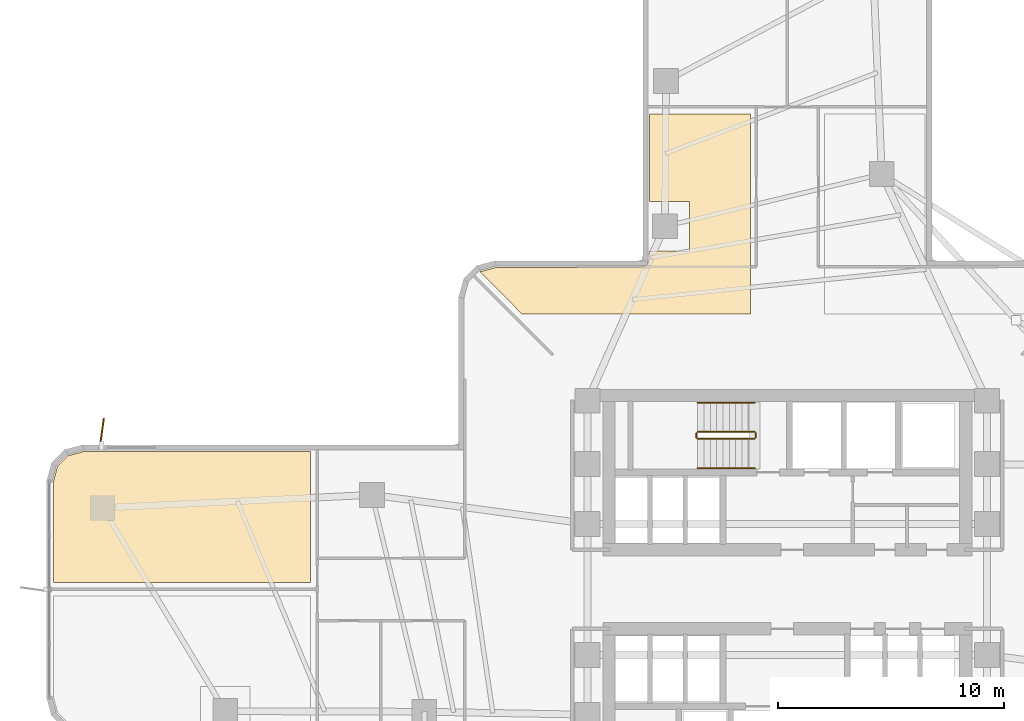
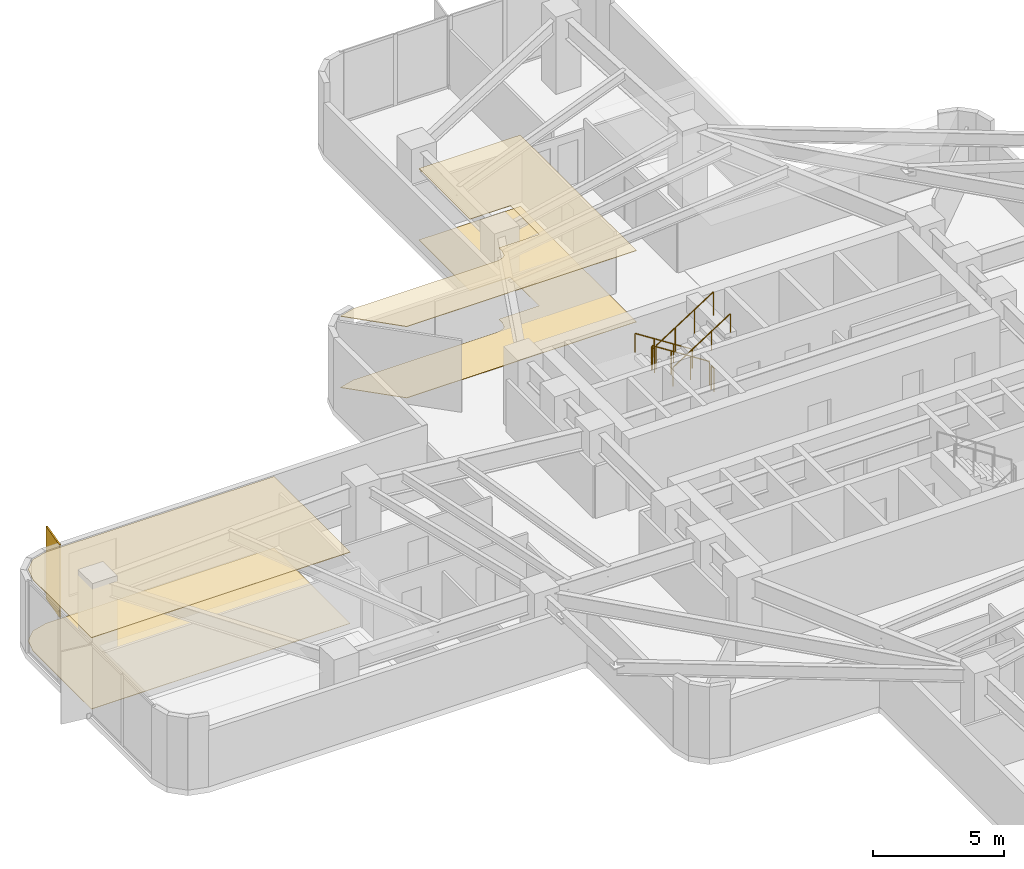
# One storey, part 13 of 14: 6 railings, 4 coverings, 1 shading device.
"""IFC4 building model written with IfcOpenShell, lengths in metres."""

from ifc_helpers import new_model, si_unit, direction, frame, origin, origin_2d, place, context, subcontext, project, spatial, polyline, rectangle, circle, outline, extrude, material, layer, layer_set, type_object, element, save


model = new_model("IFC4")

# Units and contexts
model_context = context("Model", 3, precision=1e-05, world=origin(), true_north=direction((0.0, 1.0)))
body_context = subcontext(model_context, "Body", "Model", "MODEL_VIEW")
ifc_project = project(units=[si_unit("LENGTHUNIT", "METRE"), si_unit("AREAUNIT", "SQUARE_METRE"), si_unit("VOLUMEUNIT", "CUBIC_METRE"), si_unit("PLANEANGLEUNIT", "RADIAN"), si_unit("MASSUNIT", "GRAM", prefix="KILO")], contexts=[model_context])

# Site, building, storey
site_placement = place(None, origin())
site = spatial("IfcSite", under=ifc_project, at=site_placement, CompositionType="ELEMENT")
building_placement = place(site_placement, origin())
building = spatial("IfcBuilding", under=site, at=building_placement, Name="Solmarez Civic Tower", CompositionType="ELEMENT")
storey_placement = place(building_placement, frame((0.0, 0.0, 31.679931640625)))
storey = spatial("IfcBuildingStorey", under=building, at=storey_placement, Name="L07", CompositionType="ELEMENT", Elevation=31.679931640625)

# Coverings
ifc_material_1 = material(Name="Perforated Mineral-Fibre Acoustic Ceiling")
ifc_layer_1 = layer(ifc_material_1, 0.02490234375)
ifc_layer_set_1 = layer_set([ifc_layer_1], Name="Perforated Mineral-Fibre Acoustic Ceiling")
covering_type_1 = type_object("IfcCoveringType", Name="COV-CEIL-ACOUSTIC", PredefinedType="CEILING", material=ifc_layer_set_1)
covering_1_placement = place(storey_placement, frame((0.0, 0.0, 3.315185546875)))
element("IfcCovering", 1, at=covering_1_placement, inside=storey, type_object=covering_type_1, Name="L07 Suspended Acoustic Ceiling 1", PredefinedType="CEILING", context=body_context, shape_type="SweptSolid", body=[
    extrude(outline(polyline([(-6.10009765625, 21.06005859375), (-6.10009765625, 17.176025390625), (-4.321044921875, 17.176025390625), (-4.321044921875, 14.97607421875), (-6.10009765625, 14.97607421875), (-6.10009765625, 14.75390625), (-6.10205078125, 14.722900390625), (-6.10302734375, 14.716064453125), (-6.10888671875, 14.68701171875), (-6.111083984375, 14.681884765625), (-6.154052734375, 14.51806640625), (-6.1650390625, 14.487060546875), (-6.174072265625, 14.466064453125), (-6.18310546875, 14.447998046875), (-6.193115234375, 14.430908203125), (-6.197021484375, 14.425048828125), (-6.2109375, 14.406005859375), (-6.216064453125, 14.39990234375), (-6.22900390625, 14.385009765625), (-6.235107421875, 14.37890625), (-6.25, 14.365966796875), (-6.256103515625, 14.361083984375), (-6.27490234375, 14.346923828125), (-6.281005859375, 14.343017578125), (-6.298095703125, 14.3330078125), (-6.31591796875, 14.323974609375), (-6.322998046875, 14.321044921875), (-6.330078125, 14.318115234375), (-6.3369140625, 14.31494140625), (-6.367919921875, 14.303955078125), (-6.531982421875, 14.260986328125), (-6.537109375, 14.259033203125), (-6.56591796875, 14.2529296875), (-6.572998046875, 14.251953125), (-6.60400390625, 14.25), (-12.909912109375, 14.25), (-13.594970703125, 14.06689453125), (-13.60009765625, 14.06201171875), (-11.758056640625, 12.199951171875), (-1.639892578125, 12.199951171875), (-1.639892578125, 21.06005859375), (-6.10009765625, 21.06005859375)])), origin(), (0.0, 0.0, 1.0), 0.02490234375),
])
covering_2_placement = place(storey_placement, frame((0.0, 0.0, 3.315185546875)))
element("IfcCovering", 2, at=covering_2_placement, inside=storey, type_object=covering_type_1, Name="L07 Suspended Acoustic Ceiling 4", PredefinedType="CEILING", context=body_context, shape_type="SweptSolid", body=[
    extrude(outline(polyline([(-21.110107421875, 6.10009765625), (-31.159912109375, 6.10009765625), (-31.844970703125, 5.9169921875), (-32.31689453125, 5.445068359375), (-32.5, 4.760009765625), (-32.5, 0.300048828125), (-21.110107421875, 0.300048828125), (-21.110107421875, 6.10009765625)])), origin(), (0.0, 0.0, 1.0), 0.02490234375),
])
ifc_material_2 = material(Name="Polished Tropical Stone Terrazzo Flooring", Category="masonry")
ifc_layer_2 = layer(ifc_material_2, 0.02001953125)
ifc_layer_set_2 = layer_set([ifc_layer_2], Name="Polished Tropical Stone Terrazzo Flooring")
covering_type_2 = type_object("IfcCoveringType", Name="COV-FLOOR-TERRAZZO", PredefinedType="FLOORING", material=ifc_layer_set_2)
covering_3_placement = place(storey_placement, origin())
element("IfcCovering", 3, at=covering_3_placement, inside=storey, type_object=covering_type_2, Name="L07 Terrazzo Floor Finish 1", PredefinedType="FLOORING", context=body_context, shape_type="SweptSolid", body=[
    extrude(outline(polyline([(-6.10009765625, 21.06005859375), (-6.10009765625, 17.176025390625), (-4.321044921875, 17.176025390625), (-4.321044921875, 14.97607421875), (-6.10009765625, 14.97607421875), (-6.10009765625, 14.75390625), (-6.10205078125, 14.722900390625), (-6.10302734375, 14.716064453125), (-6.10888671875, 14.68701171875), (-6.111083984375, 14.681884765625), (-6.154052734375, 14.51806640625), (-6.1650390625, 14.487060546875), (-6.174072265625, 14.466064453125), (-6.18310546875, 14.447998046875), (-6.193115234375, 14.430908203125), (-6.197021484375, 14.425048828125), (-6.2109375, 14.406005859375), (-6.216064453125, 14.39990234375), (-6.22900390625, 14.385009765625), (-6.235107421875, 14.37890625), (-6.25, 14.365966796875), (-6.256103515625, 14.361083984375), (-6.27490234375, 14.346923828125), (-6.281005859375, 14.343017578125), (-6.298095703125, 14.3330078125), (-6.31591796875, 14.323974609375), (-6.322998046875, 14.321044921875), (-6.330078125, 14.318115234375), (-6.3369140625, 14.31494140625), (-6.367919921875, 14.303955078125), (-6.531982421875, 14.260986328125), (-6.537109375, 14.259033203125), (-6.56591796875, 14.2529296875), (-6.572998046875, 14.251953125), (-6.60400390625, 14.25), (-12.909912109375, 14.25), (-13.594970703125, 14.06689453125), (-13.60009765625, 14.06201171875), (-11.758056640625, 12.199951171875), (-1.639892578125, 12.199951171875), (-1.639892578125, 21.06005859375), (-6.10009765625, 21.06005859375)])), origin(), (0.0, 0.0, 1.0), 0.02001953125),
])
covering_4_placement = place(storey_placement, origin())
element("IfcCovering", 4, at=covering_4_placement, inside=storey, type_object=covering_type_2, Name="L07 Terrazzo Floor Finish 4", PredefinedType="FLOORING", context=body_context, shape_type="SweptSolid", body=[
    extrude(outline(polyline([(-21.110107421875, 6.10009765625), (-31.159912109375, 6.10009765625), (-31.844970703125, 5.9169921875), (-32.31689453125, 5.445068359375), (-32.5, 4.760009765625), (-32.5, 0.300048828125), (-21.110107421875, 0.300048828125), (-21.110107421875, 6.10009765625)])), origin(), (0.0, 0.0, 1.0), 0.02001953125),
])

# Shading device
ifc_material_3 = material(Name="Bronze Anodised Aluminium EN AW-6063 T6", Category="aluminium")
ifc_layer_3 = layer(ifc_material_3, 0.06494140625)
ifc_layer_set_3 = layer_set([ifc_layer_3], Name="Bronze Anodised Aluminium EN AW-6063 T6")
shading_device_type = type_object("IfcShadingDeviceType", Name="FIN-BRONZE-Z12", PredefinedType="USERDEFINED", material=ifc_layer_set_3)
shading_device_placement = place(storey_placement, frame((-30.35888671875, 6.905029296875, -0.039794921875), z_axis=(0.0, 0.0, 1.0), x_axis=(0.137980443087, 0.990434953607, 0.0)))
element("IfcShadingDevice", 5, at=shading_device_placement, inside=storey, type_object=shading_device_type, Name="L07 Anodised Bronze Solar Fin FIN-L07-02", ObjectType="FIN", PredefinedType="USERDEFINED", context=body_context, shape_type="SweptSolid", body=[
    extrude(rectangle(XDim=1.35009765625, YDim=0.06494140625, at=origin_2d()), origin(), (0.0, 0.0, 1.0), 3.3798828125),
])

# Railings
ifc_material_4 = material(Name="Painted Steel Stairwell Safety Guard", Category="steel")
railing_type_1 = type_object("IfcRailingType", Name="GUARD-STAIR-1120", PredefinedType="BALUSTRADE", material=ifc_material_4)
railing_1_placement = place(storey_placement, frame((-1.449951171875, 6.969970703125, 0.18017578125)))
element("IfcRailing", 6, at=railing_1_placement, inside=storey, type_object=railing_type_1, Name="L07 ST-1 stair guard 1", PredefinedType="BALUSTRADE", context=body_context, shape_type="SweptSolid", body=[
    extrude(circle(Radius=0.02392578125, at=origin_2d()), frame((0.0, 0.0, 1.09619140625), z_axis=(-0.841199657755, 0.0, 0.540724639528), x_axis=(0.0, -1.0, 0.0)), (0.0, 0.0, 1.0), 2.995849609375),
    extrude(circle(Radius=0.02099609375, at=origin_2d()), origin(), (0.0, 0.0, 1.0), 1.072021484375),
    extrude(circle(Radius=0.02099609375, at=origin_2d()), frame((-0.840087890625, 0.0, 0.5400390625)), (0.0, 0.0, 1.0), 1.072021484375),
    extrude(circle(Radius=0.02099609375, at=origin_2d()), frame((-1.679931640625, 0.0, 1.079833984375)), (0.0, 0.0, 1.0), 1.072021484375),
    extrude(circle(Radius=0.02099609375, at=origin_2d()), frame((-2.52001953125, 0.0, 1.619873046875)), (0.0, 0.0, 1.0), 1.072021484375),
])
railing_2_placement = place(storey_placement, frame((-4.02001953125, 6.919921875, 1.800048828125)))
element("IfcRailing", 7, at=railing_2_placement, inside=storey, type_object=railing_type_1, Name="L07 ST-1 stair guard 2", PredefinedType="BALUSTRADE", context=body_context, shape_type="SweptSolid", body=[
    extrude(circle(Radius=0.02392578125, at=origin_2d()), frame((0.0, 0.0, 1.09619140625), z_axis=(0.0, -1.0, 0.0), x_axis=(1.0, 0.0, 0.0)), (0.0, 0.0, 1.0), 0.199951171875),
    extrude(circle(Radius=0.02099609375, at=origin_2d()), origin(), (0.0, 0.0, 1.0), 1.072021484375),
    extrude(circle(Radius=0.02099609375, at=origin_2d()), frame((0.0, -0.199951171875, 0.0)), (0.0, 0.0, 1.0), 1.072021484375),
])
railing_3_placement = place(storey_placement, frame((-3.969970703125, 6.669921875, 1.97998046875)))
element("IfcRailing", 8, at=railing_3_placement, inside=storey, type_object=railing_type_1, Name="L07 ST-1 stair guard 3", PredefinedType="BALUSTRADE", context=body_context, shape_type="SweptSolid", body=[
    extrude(circle(Radius=0.02392578125, at=origin_2d()), frame((0.0, 0.0, 1.09619140625), z_axis=(0.841162588446, 0.0, 0.540782303519), x_axis=(0.0, 1.0, 0.0)), (0.0, 0.0, 1.0), 2.995849609375),
    extrude(circle(Radius=0.02099609375, at=origin_2d()), origin(), (0.0, 0.0, 1.0), 1.072021484375),
    extrude(circle(Radius=0.02099609375, at=origin_2d()), frame((0.840087890625, 0.0, 0.5400390625)), (0.0, 0.0, 1.0), 1.072021484375),
    extrude(circle(Radius=0.02099609375, at=origin_2d()), frame((1.679931640625, 0.0, 1.080078125)), (0.0, 0.0, 1.0), 1.072021484375),
    extrude(circle(Radius=0.02099609375, at=origin_2d()), frame((2.52001953125, 0.0, 1.6201171875)), (0.0, 0.0, 1.0), 1.072021484375),
])
railing_4_placement = place(storey_placement, frame((-1.39990234375, 6.919921875, 0.0)))
element("IfcRailing", 9, at=railing_4_placement, inside=storey, type_object=railing_type_1, Name="L07 ST-1 stair guard 4", PredefinedType="BALUSTRADE", context=body_context, shape_type="SweptSolid", body=[
    extrude(circle(Radius=0.02392578125, at=origin_2d()), frame((0.0, 0.0, 1.09619140625), z_axis=(0.0, -1.0, 0.0), x_axis=(1.0, 0.0, 0.0)), (0.0, 0.0, 1.0), 0.199951171875),
    extrude(circle(Radius=0.02099609375, at=origin_2d()), origin(), (0.0, 0.0, 1.0), 1.072021484375),
    extrude(circle(Radius=0.02099609375, at=origin_2d()), frame((0.0, -0.199951171875, 0.0)), (0.0, 0.0, 1.0), 1.072021484375),
])
ifc_material_5 = material(Name="Brushed Stainless Steel Tube Handrail", Category="steel")
railing_type_2 = type_object("IfcRailingType", Name="HANDRAIL-STAIR-900", PredefinedType="HANDRAIL", material=ifc_material_5)
railing_5_placement = place(storey_placement, frame((-1.449951171875, 8.27001953125, 0.18017578125)))
element("IfcRailing", 10, at=railing_5_placement, inside=storey, type_object=railing_type_2, Name="L07 ST-1 stair handrail 1", PredefinedType="HANDRAIL", context=body_context, shape_type="SweptSolid", body=[
    extrude(circle(Radius=0.02392578125, at=origin_2d()), frame((0.0, 0.0, 0.8759765625), z_axis=(-0.841199657755, 0.0, 0.540724639528), x_axis=(0.0, -1.0, 0.0)), (0.0, 0.0, 1.0), 2.995849609375),
    extrude(circle(Radius=0.02099609375, at=origin_2d()), origin(), (0.0, 0.0, 1.0), 0.851806640625),
    extrude(circle(Radius=0.02099609375, at=origin_2d()), frame((-0.840087890625, 0.0, 0.5400390625)), (0.0, 0.0, 1.0), 0.851806640625),
    extrude(circle(Radius=0.02099609375, at=origin_2d()), frame((-1.679931640625, 0.0, 1.079833984375)), (0.0, 0.0, 1.0), 0.851806640625),
    extrude(circle(Radius=0.02099609375, at=origin_2d()), frame((-2.52001953125, 0.0, 1.619873046875)), (0.0, 0.0, 1.0), 0.851806640625),
])
railing_6_placement = place(storey_placement, frame((-3.969970703125, 5.3701171875, 1.97998046875)))
element("IfcRailing", 11, at=railing_6_placement, inside=storey, type_object=railing_type_2, Name="L07 ST-1 stair handrail 2", PredefinedType="HANDRAIL", context=body_context, shape_type="SweptSolid", body=[
    extrude(circle(Radius=0.02392578125, at=origin_2d()), frame((0.0, 0.0, 0.8759765625), z_axis=(0.841162588446, 0.0, 0.540782303519), x_axis=(0.0, 1.0, 0.0)), (0.0, 0.0, 1.0), 2.995849609375),
    extrude(circle(Radius=0.02099609375, at=origin_2d()), origin(), (0.0, 0.0, 1.0), 0.851806640625),
    extrude(circle(Radius=0.02099609375, at=origin_2d()), frame((0.840087890625, 0.0, 0.5400390625)), (0.0, 0.0, 1.0), 0.851806640625),
    extrude(circle(Radius=0.02099609375, at=origin_2d()), frame((1.679931640625, 0.0, 1.080078125)), (0.0, 0.0, 1.0), 0.851806640625),
    extrude(circle(Radius=0.02099609375, at=origin_2d()), frame((2.52001953125, 0.0, 1.6201171875)), (0.0, 0.0, 1.0), 0.851806640625),
])

save(model, "model.ifc")
